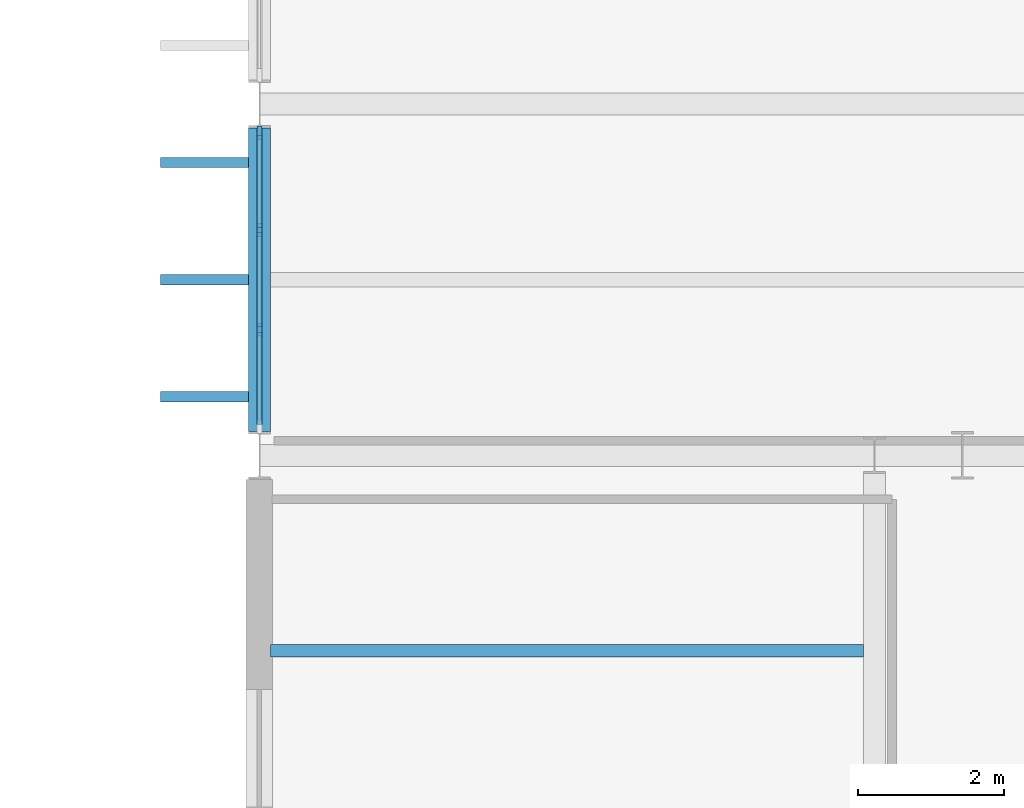
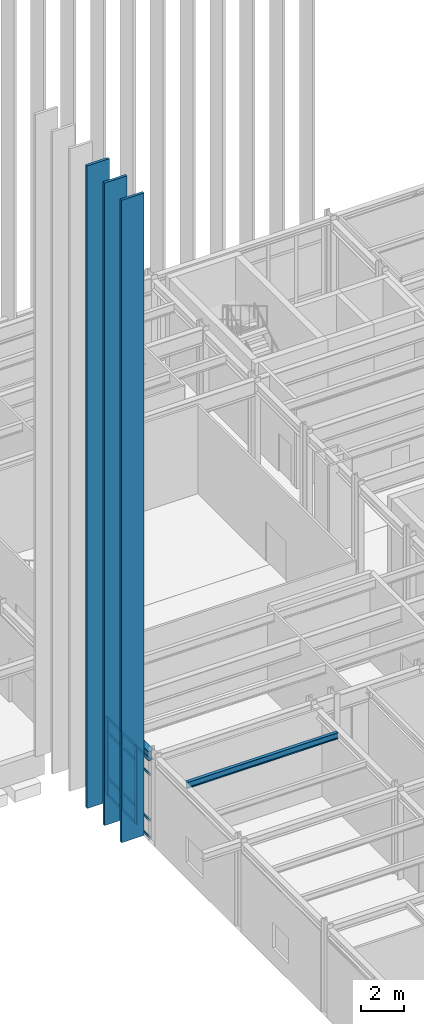
# One storey, part 35 of 109: 18 members, 2 beams, 1 element without a shape of its own.
"""IFC4 building model written with IfcOpenShell, lengths in metres."""

from ifc_helpers import new_model, si_unit, direction, frame, origin, origin_2d, place, context, subcontext, project, spatial, rectangle, i_section, extrude, material, layer, layer_set, material_profile, profile_set, type_object, element, aggregate, save


model = new_model("IFC4")

# Units and contexts
model_context = context("Model", 3, precision=1e-05, world=origin(), true_north=direction((0.0, 1.0)))
body_context = subcontext(model_context, "Body", "Model", "MODEL_VIEW")
ifc_project = project(units=[si_unit("LENGTHUNIT", "METRE"), si_unit("AREAUNIT", "SQUARE_METRE"), si_unit("VOLUMEUNIT", "CUBIC_METRE"), si_unit("PLANEANGLEUNIT", "RADIAN"), si_unit("MASSUNIT", "GRAM", prefix="KILO")], contexts=[model_context])

# Site, building, storey
site_placement = place(None, origin())
site = spatial("IfcSite", under=ifc_project, at=site_placement, CompositionType="ELEMENT")
building_placement = place(site_placement, origin())
building = spatial("IfcBuilding", under=site, at=building_placement, Name="Nordkorset Police Headquarters", CompositionType="ELEMENT")
storey_placement = place(building_placement, origin())
storey = spatial("IfcBuildingStorey", under=building, at=storey_placement, Name="L00", CompositionType="ELEMENT", Elevation=0.0)

# Beam
ifc_material_1 = material(Name="Steel S355J2", Category="steel")
ifc_material_profile_1 = material_profile(ifc_material_1, i_section(OverallWidth=0.169921875, OverallDepth=0.360107421875, WebThickness=0.008056640625, FlangeThickness=0.0126953125, FilletRadius=0.01806640625, at=origin_2d()), Name="IPE 360")
ifc_profile_set_1 = profile_set([ifc_material_profile_1], Name="Steel S355J2")
beam_type_1 = type_object("IfcBeamType", Name="Beam_IPE_360", PredefinedType="BEAM", material=ifc_profile_set_1)
beam_1_placement = place(storey_placement, frame((0.14990234375, 80.533447265625, 4.820068359375), z_axis=(1.0, 0.0, 0.0), x_axis=(0.0, 1.0, 0.0)))
element("IfcBeam", 1, at=beam_1_placement, inside=storey, type_object=beam_type_1, Name="Composite Floor Beam V3 L00 0-5-2", PredefinedType="BEAM", context=body_context, shape_type="SweptSolid", body=[
    extrude(i_section(OverallWidth=0.169921875, OverallDepth=0.360107421875, WebThickness=0.008056640625, FlangeThickness=0.0126953125, FilletRadius=0.01806640625, at=origin_2d()), origin(), (0.0, 0.0, 1.0), 8.10009765625),
])

# Curtain wall, members
ifc_material_2 = material(Name="Aluminium alloy AW-6060", Category="aluminium")
ifc_layer = layer(ifc_material_2, 0.179931640625, Name="Aluminium alloy AW-6060")
ifc_layer_set = layer_set([ifc_layer], Name="Aluminium alloy AW-6060")
curtain_wall_type = type_object("IfcCurtainWallType", Name="CW_Unit_408x444", PredefinedType="USERDEFINED", material=ifc_layer_set)
curtain_wall_placement = place(storey_placement, origin())
curtain_wall = element("IfcCurtainWall", 2, at=curtain_wall_placement, inside=storey, type_object=curtain_wall_type, Name="Unitised Curtain Wall L00 V1W-0", ObjectType="UNITISED CURTAIN WALL", PredefinedType="USERDEFINED")
ifc_material_3 = material(Name="Aluminium alloy AW-6060", Category="aluminium")
ifc_material_profile_2 = material_profile(ifc_material_3, rectangle(XDim=0.06494140625, YDim=0.179931640625, at=origin_2d()), Name="ALU MULL 65x180")
ifc_profile_set_2 = profile_set([ifc_material_profile_2], Name="Aluminium alloy AW-6060")
member_type_1 = type_object("IfcMemberType", Name="CW_Mullion_65x180", PredefinedType="MULLION", material=ifc_profile_set_2)
member_1_placement = place(storey_placement, frame((0.0, 84.919921875, 0.0), z_axis=(0.0, 0.0, 1.0), x_axis=(-1.0, 0.0, 0.0)))
member_1 = element("IfcMember", 3, at=member_1_placement, type_object=member_type_1, Name="CW-66 mullion 2", PredefinedType="MULLION", context=body_context, shape_type="SweptSolid", body=[
    extrude(rectangle(XDim=0.06494140625, YDim=0.179931640625, at=origin_2d()), origin(), (0.0, 0.0, 1.0), 4.43994140625),
])
member_2_placement = place(storey_placement, frame((0.0, 86.280029296875, 0.0), z_axis=(0.0, 0.0, 1.0), x_axis=(-1.0, 0.0, 0.0)))
member_2 = element("IfcMember", 4, at=member_2_placement, type_object=member_type_1, Name="CW-66 mullion 3", PredefinedType="MULLION", context=body_context, shape_type="SweptSolid", body=[
    extrude(rectangle(XDim=0.06494140625, YDim=0.179931640625, at=origin_2d()), origin(), (0.0, 0.0, 1.0), 4.43994140625),
])
member_3_placement = place(storey_placement, frame((0.0, 87.607421875, 0.0), z_axis=(0.0, 0.0, 1.0), x_axis=(-1.0, 0.0, 0.0)))
member_3 = element("IfcMember", 5, at=member_3_placement, type_object=member_type_1, Name="CW-66 mullion 4", PredefinedType="MULLION", context=body_context, shape_type="SweptSolid", body=[
    extrude(rectangle(XDim=0.06494140625, YDim=0.179931640625, at=origin_2d()), origin(), (0.0, 0.0, 1.0), 4.43994140625),
])
ifc_material_4 = material(Name="Aluminium alloy AW-6060", Category="aluminium")
ifc_material_profile_3 = material_profile(ifc_material_4, rectangle(XDim=0.06494140625, YDim=0.139892578125, at=origin_2d()), Name="ALU TRAN 65x140")
ifc_profile_set_3 = profile_set([ifc_material_profile_3], Name="Aluminium alloy AW-6060")
member_type_2 = type_object("IfcMemberType", Name="CW_Transom_65x140", PredefinedType="USERDEFINED", material=ifc_profile_set_3)
member_4_placement = place(storey_placement, frame((0.0, 83.625, 0.032470703125), z_axis=(0.0, 1.0, 0.0), x_axis=(-1.0, 0.0, 0.0)))
member_4 = element("IfcMember", 6, at=member_4_placement, type_object=member_type_2, Name="CW-66 transom 1.1", ObjectType="TRANSOM", PredefinedType="USERDEFINED", context=body_context, shape_type="SweptSolid", body=[
    extrude(rectangle(XDim=0.06494140625, YDim=0.139892578125, at=origin_2d()), origin(), (0.0, 0.0, 1.0), 1.262451171875),
])
member_5_placement = place(storey_placement, frame((0.0, 83.625, 1.0), z_axis=(0.0, 1.0, 0.0), x_axis=(-1.0, 0.0, 0.0)))
member_5 = element("IfcMember", 7, at=member_5_placement, type_object=member_type_2, Name="CW-66 transom 1.2", ObjectType="TRANSOM", PredefinedType="USERDEFINED", context=body_context, shape_type="SweptSolid", body=[
    extrude(rectangle(XDim=0.06494140625, YDim=0.139892578125, at=origin_2d()), origin(), (0.0, 0.0, 1.0), 1.262451171875),
])
member_6_placement = place(storey_placement, frame((0.0, 83.625, 3.590087890625), z_axis=(0.0, 1.0, 0.0), x_axis=(-1.0, 0.0, 0.0)))
member_6 = element("IfcMember", 8, at=member_6_placement, type_object=member_type_2, Name="CW-66 transom 1.3", ObjectType="TRANSOM", PredefinedType="USERDEFINED", context=body_context, shape_type="SweptSolid", body=[
    extrude(rectangle(XDim=0.06494140625, YDim=0.139892578125, at=origin_2d()), origin(), (0.0, 0.0, 1.0), 1.262451171875),
])
member_7_placement = place(storey_placement, frame((0.0, 83.625, 4.407470703125), z_axis=(0.0, 1.0, 0.0), x_axis=(-1.0, 0.0, 0.0)))
member_7 = element("IfcMember", 9, at=member_7_placement, type_object=member_type_2, Name="CW-66 transom 1.4", ObjectType="TRANSOM", PredefinedType="USERDEFINED", context=body_context, shape_type="SweptSolid", body=[
    extrude(rectangle(XDim=0.06494140625, YDim=0.139892578125, at=origin_2d()), origin(), (0.0, 0.0, 1.0), 1.262451171875),
])
member_8_placement = place(storey_placement, frame((0.0, 84.952392578125, 0.032470703125), z_axis=(0.0, 1.0, 0.0), x_axis=(-1.0, 0.0, 0.0)))
member_8 = element("IfcMember", 10, at=member_8_placement, type_object=member_type_2, Name="CW-66 transom 2.1", ObjectType="TRANSOM", PredefinedType="USERDEFINED", context=body_context, shape_type="SweptSolid", body=[
    extrude(rectangle(XDim=0.06494140625, YDim=0.139892578125, at=origin_2d()), origin(), (0.0, 0.0, 1.0), 1.295166015625),
])
member_9_placement = place(storey_placement, frame((0.0, 84.952392578125, 1.0), z_axis=(0.0, 1.0, 0.0), x_axis=(-1.0, 0.0, 0.0)))
member_9 = element("IfcMember", 11, at=member_9_placement, type_object=member_type_2, Name="CW-66 transom 2.2", ObjectType="TRANSOM", PredefinedType="USERDEFINED", context=body_context, shape_type="SweptSolid", body=[
    extrude(rectangle(XDim=0.06494140625, YDim=0.139892578125, at=origin_2d()), origin(), (0.0, 0.0, 1.0), 1.295166015625),
])
member_10_placement = place(storey_placement, frame((0.0, 84.952392578125, 3.590087890625), z_axis=(0.0, 1.0, 0.0), x_axis=(-1.0, 0.0, 0.0)))
member_10 = element("IfcMember", 12, at=member_10_placement, type_object=member_type_2, Name="CW-66 transom 2.3", ObjectType="TRANSOM", PredefinedType="USERDEFINED", context=body_context, shape_type="SweptSolid", body=[
    extrude(rectangle(XDim=0.06494140625, YDim=0.139892578125, at=origin_2d()), origin(), (0.0, 0.0, 1.0), 1.295166015625),
])
member_11_placement = place(storey_placement, frame((0.0, 84.952392578125, 4.407470703125), z_axis=(0.0, 1.0, 0.0), x_axis=(-1.0, 0.0, 0.0)))
member_11 = element("IfcMember", 13, at=member_11_placement, type_object=member_type_2, Name="CW-66 transom 2.4", ObjectType="TRANSOM", PredefinedType="USERDEFINED", context=body_context, shape_type="SweptSolid", body=[
    extrude(rectangle(XDim=0.06494140625, YDim=0.139892578125, at=origin_2d()), origin(), (0.0, 0.0, 1.0), 1.295166015625),
])
member_12_placement = place(storey_placement, frame((0.0, 86.3125, 0.032470703125), z_axis=(0.0, 1.0, 0.0), x_axis=(-1.0, 0.0, 0.0)))
member_12 = element("IfcMember", 14, at=member_12_placement, type_object=member_type_2, Name="CW-66 transom 3.1", ObjectType="TRANSOM", PredefinedType="USERDEFINED", context=body_context, shape_type="SweptSolid", body=[
    extrude(rectangle(XDim=0.06494140625, YDim=0.139892578125, at=origin_2d()), origin(), (0.0, 0.0, 1.0), 1.262451171875),
])
member_13_placement = place(storey_placement, frame((0.0, 86.3125, 1.0), z_axis=(0.0, 1.0, 0.0), x_axis=(-1.0, 0.0, 0.0)))
member_13 = element("IfcMember", 15, at=member_13_placement, type_object=member_type_2, Name="CW-66 transom 3.2", ObjectType="TRANSOM", PredefinedType="USERDEFINED", context=body_context, shape_type="SweptSolid", body=[
    extrude(rectangle(XDim=0.06494140625, YDim=0.139892578125, at=origin_2d()), origin(), (0.0, 0.0, 1.0), 1.262451171875),
])
member_14_placement = place(storey_placement, frame((0.0, 86.3125, 3.590087890625), z_axis=(0.0, 1.0, 0.0), x_axis=(-1.0, 0.0, 0.0)))
member_14 = element("IfcMember", 16, at=member_14_placement, type_object=member_type_2, Name="CW-66 transom 3.3", ObjectType="TRANSOM", PredefinedType="USERDEFINED", context=body_context, shape_type="SweptSolid", body=[
    extrude(rectangle(XDim=0.06494140625, YDim=0.139892578125, at=origin_2d()), origin(), (0.0, 0.0, 1.0), 1.262451171875),
])
member_15_placement = place(storey_placement, frame((0.0, 86.3125, 4.407470703125), z_axis=(0.0, 1.0, 0.0), x_axis=(-1.0, 0.0, 0.0)))
member_15 = element("IfcMember", 17, at=member_15_placement, type_object=member_type_2, Name="CW-66 transom 3.4", ObjectType="TRANSOM", PredefinedType="USERDEFINED", context=body_context, shape_type="SweptSolid", body=[
    extrude(rectangle(XDim=0.06494140625, YDim=0.139892578125, at=origin_2d()), origin(), (0.0, 0.0, 1.0), 1.262451171875),
])
aggregate(curtain_wall, [member_1, member_2, member_3, member_4, member_5, member_6, member_7, member_8, member_9, member_10, member_11, member_12, member_13, member_14, member_15])

# Beam
ifc_material_5 = material(Name="Steel S355J2", Category="steel")
ifc_material_profile_4 = material_profile(ifc_material_5, i_section(OverallWidth=0.300048828125, OverallDepth=0.5400390625, WebThickness=0.012451171875, FlangeThickness=0.02392578125, FilletRadius=0.027099609375, at=origin_2d()), Name="HEA 550")
ifc_profile_set_4 = profile_set([ifc_material_profile_4], Name="Steel S355J2")
beam_type_2 = type_object("IfcBeamType", Name="Girder_HEA_550", PredefinedType="USERDEFINED", material=ifc_profile_set_4)
beam_2_placement = place(storey_placement, frame((0.0, 83.52490234375, 4.72998046875), z_axis=(0.0, 1.0, 0.0), x_axis=(-1.0, 0.0, 0.0)))
element("IfcBeam", 18, at=beam_2_placement, inside=storey, type_object=beam_type_2, Name="Girder V1 L00 GY-0-0", ObjectType="GIRDER", PredefinedType="USERDEFINED", context=body_context, shape_type="SweptSolid", body=[
    extrude(i_section(OverallWidth=0.300048828125, OverallDepth=0.5400390625, WebThickness=0.012451171875, FlangeThickness=0.02392578125, FilletRadius=0.027099609375, at=origin_2d()), origin(), (0.0, 0.0, 1.0), 4.150146484375),
])

# Members
ifc_material_6 = material(Name="Glulam GL30c", Category="wood")
ifc_material_profile_5 = material_profile(ifc_material_6, rectangle(XDim=0.139892578125, YDim=1.199951171875, at=origin_2d()), Name="GL30C FIN 140x1200")
ifc_profile_set_5 = profile_set([ifc_material_profile_5], Name="Glulam GL30c")
member_type_3 = type_object("IfcMemberType", Name="Member_GlulamFin_140x1200", PredefinedType="USERDEFINED", material=ifc_profile_set_5)
for number, where, z_axis, x_axis, name in (
    (19, (-0.75, 84.0, 0.0), (0.0, 0.0, 1.0), (0.0, 1.0, 0.0), "Vertical Glulam Timber Fin West 001"),
    (20, (-0.75, 85.60009765625, 0.0), (0.0, 0.0, 1.0), (0.0, 1.0, 0.0), "Vertical Glulam Timber Fin West 002"),
    (21, (-0.75, 87.199951171875, 0.0), (0.0, 0.0, 1.0), (0.0, 1.0, 0.0), "Vertical Glulam Timber Fin West 003"),
):
    element("IfcMember", number, at=place(storey_placement, frame(where, z_axis=z_axis, x_axis=x_axis)), inside=storey, type_object=member_type_3, Name=name, ObjectType="VERTICAL TIMBER FIN", PredefinedType="USERDEFINED", context=body_context, shape_type="SweptSolid", body=[
        extrude(rectangle(XDim=0.139892578125, YDim=1.199951171875, at=origin_2d()), origin(), (0.0, 0.0, 1.0), 36.409912109375),
    ])

save(model, "model.ifc")
